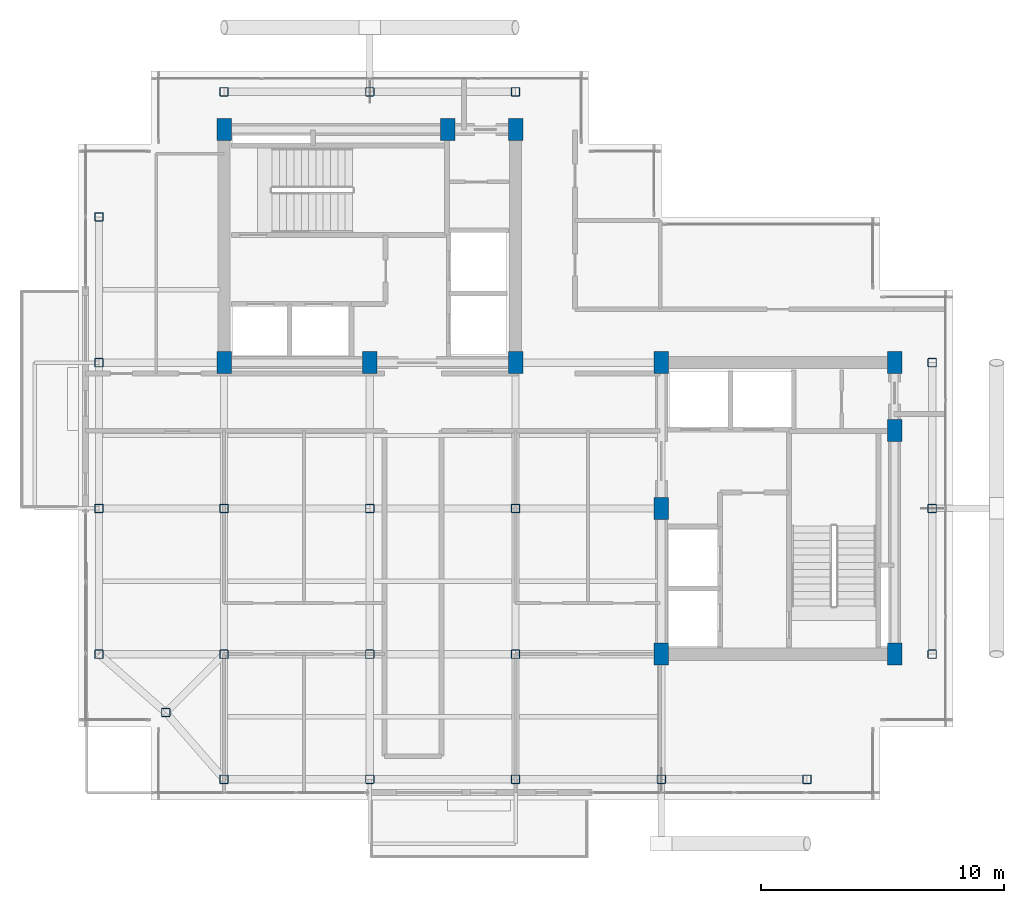
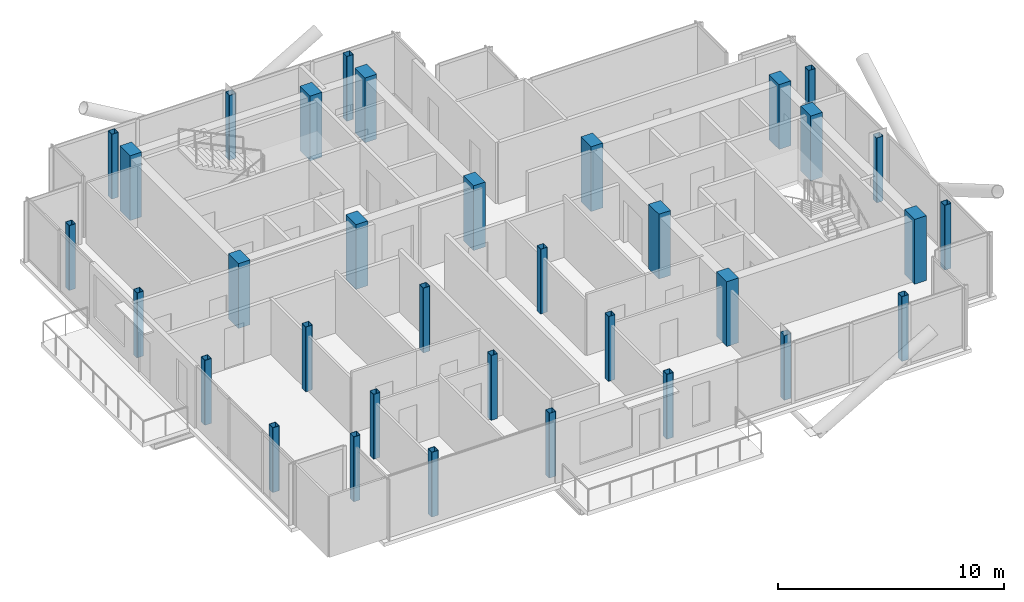
# One storey, part 1 of 18: 34 columns.
"""IFC4 building model written with IfcOpenShell, lengths in metres."""

from ifc_helpers import new_model, si_unit, direction, frame, origin, origin_2d, place, context, subcontext, project, spatial, rectangle, hollow_rectangle, extrude, material, material_profile, profile_set, type_object, element, save


model = new_model("IFC4")

# Units and contexts
model_context = context("Model", 3, precision=1e-05, world=origin(), true_north=direction((0.0, 1.0)))
body_context = subcontext(model_context, "Body", "Model", "MODEL_VIEW")
ifc_project = project(units=[si_unit("LENGTHUNIT", "METRE"), si_unit("AREAUNIT", "SQUARE_METRE"), si_unit("VOLUMEUNIT", "CUBIC_METRE"), si_unit("PLANEANGLEUNIT", "RADIAN"), si_unit("MASSUNIT", "GRAM", prefix="KILO"), si_unit("THERMODYNAMICTEMPERATUREUNIT", "KELVIN"), si_unit("POWERUNIT", "WATT")], contexts=[model_context])

# Site, building, storey
site_placement = place(None, origin())
site = spatial("IfcSite", under=ifc_project, at=site_placement, CompositionType="ELEMENT")
building_placement = place(site_placement, origin())
building = spatial("IfcBuilding", under=site, at=building_placement, Name="Svarakhadi Broadcast Tower", CompositionType="ELEMENT")
storey_placement = place(building_placement, frame((0.0, 0.0, 253.699951171875)))
storey = spatial("IfcBuildingStorey", under=building, at=storey_placement, Name="L63", CompositionType="ELEMENT", Elevation=253.699951171875)

# Columns
ifc_material_1 = material(Name="Concrete C50/60 (IS 456 M60)", Category="concrete")
ifc_material_profile_1 = material_profile(ifc_material_1, rectangle(XDim=0.60009765625, YDim=0.89990234375, at=origin_2d()), Name="RC 600x900")
ifc_profile_set_1 = profile_set([ifc_material_profile_1], Name="Concrete C50/60 (IS 456 M60)")
column_type_1 = type_object("IfcColumnType", Name="Col_RC600", PredefinedType="COLUMN", material=ifc_profile_set_1)
for number, where, z_axis, x_axis, name in (
    (1, (6.0, 18.0, 0.0), (0.0, 0.0, 1.0), (1.0, 0.0, 0.0), "L63 Column CW1"),
    (2, (12.0, 18.0, 0.0), (0.0, 0.0, 1.0), (1.0, 0.0, 0.0), "L63 Column CW2"),
    (3, (18.0, 18.0, 0.0), (0.0, 0.0, 1.0), (1.0, 0.0, 0.0), "L63 Column CW3"),
    (4, (6.0, 27.60009765625, 0.0), (0.0, 0.0, 1.0), (1.0, 0.0, 0.0), "L63 Column CW4"),
    (5, (15.199951171875, 27.60009765625, 0.0), (0.0, 0.0, 1.0), (1.0, 0.0, 0.0), "L63 Column CW5"),
    (6, (18.0, 27.60009765625, 0.0), (0.0, 0.0, 1.0), (1.0, 0.0, 0.0), "L63 Column CW6"),
    (7, (24.0, 6.0, 0.0), (0.0, 0.0, 1.0), (1.0, 0.0, 0.0), "L63 Column CE1"),
    (8, (24.0, 12.0, 0.0), (0.0, 0.0, 1.0), (1.0, 0.0, 0.0), "L63 Column CE2"),
    (9, (24.0, 18.0, 0.0), (0.0, 0.0, 1.0), (1.0, 0.0, 0.0), "L63 Column CE3"),
    (10, (33.60009765625, 6.0, 0.0), (0.0, 0.0, 1.0), (1.0, 0.0, 0.0), "L63 Column CE4"),
    (11, (33.60009765625, 15.199951171875, 0.0), (0.0, 0.0, 1.0), (1.0, 0.0, 0.0), "L63 Column CE5"),
    (12, (33.60009765625, 18.0, 0.0), (0.0, 0.0, 1.0), (1.0, 0.0, 0.0), "L63 Column CE6"),
):
    element("IfcColumn", number, at=place(storey_placement, frame(where, z_axis=z_axis, x_axis=x_axis)), inside=storey, type_object=column_type_1, Name=name, PredefinedType="COLUMN", context=body_context, shape_type="SweptSolid", body=[
        extrude(rectangle(XDim=0.60009765625, YDim=0.89990234375, at=origin_2d()), origin(), (0.0, 0.0, 1.0), 3.5),
    ])
ifc_material_2 = material(Name="Steel S460ML (IS 2062 E450BR)", Category="steel")
ifc_material_profile_2 = material_profile(ifc_material_2, hollow_rectangle(XDim=0.35009765625, YDim=0.35009765625, WallThickness=0.01611328125, InnerFilletRadius=0.01611328125, OuterFilletRadius=0.031982421875, at=origin_2d()), Name="SHS 350x350x16")
ifc_profile_set_2 = profile_set([ifc_material_profile_2], Name="Steel S460ML (IS 2062 E450BR)")
column_type_2 = type_object("IfcColumnType", Name="Col_SHS350", PredefinedType="COLUMN", material=ifc_profile_set_2)
for number, where, z_axis, x_axis, name in (
    (13, (3.60009765625, 3.60009765625, 0.0), (0.0, 0.0, 1.0), (1.0, 0.0, 0.0), "L63 Column G01"),
    (14, (0.85009765625, 6.0, 0.0), (0.0, 0.0, 1.0), (1.0, 0.0, 0.0), "L63 Column G03"),
    (15, (0.85009765625, 12.0, 0.0), (0.0, 0.0, 1.0), (1.0, 0.0, 0.0), "L63 Column G04"),
    (16, (0.85009765625, 18.0, 0.0), (0.0, 0.0, 1.0), (1.0, 0.0, 0.0), "L63 Column G05"),
    (17, (0.85009765625, 24.0, 0.0), (0.0, 0.0, 1.0), (1.0, 0.0, 0.0), "L63 Column G06"),
    (18, (6.0, 0.85009765625, 0.0), (0.0, 0.0, 1.0), (1.0, 0.0, 0.0), "L63 Column G11"),
    (19, (6.0, 6.0, 0.0), (0.0, 0.0, 1.0), (1.0, 0.0, 0.0), "L63 Column G12"),
    (20, (6.0, 12.0, 0.0), (0.0, 0.0, 1.0), (1.0, 0.0, 0.0), "L63 Column G13"),
    (21, (6.0, 29.14990234375, 0.0), (0.0, 0.0, 1.0), (1.0, 0.0, 0.0), "L63 Column G14"),
    (22, (12.0, 0.85009765625, 0.0), (0.0, 0.0, 1.0), (1.0, 0.0, 0.0), "L63 Column G18"),
    (23, (12.0, 6.0, 0.0), (0.0, 0.0, 1.0), (1.0, 0.0, 0.0), "L63 Column G19"),
    (24, (12.0, 12.0, 0.0), (0.0, 0.0, 1.0), (1.0, 0.0, 0.0), "L63 Column G20"),
    (25, (12.0, 29.14990234375, 0.0), (0.0, 0.0, 1.0), (1.0, 0.0, 0.0), "L63 Column G21"),
    (26, (18.0, 0.85009765625, 0.0), (0.0, 0.0, 1.0), (1.0, 0.0, 0.0), "L63 Column G25"),
    (27, (18.0, 6.0, 0.0), (0.0, 0.0, 1.0), (1.0, 0.0, 0.0), "L63 Column G26"),
    (28, (18.0, 12.0, 0.0), (0.0, 0.0, 1.0), (1.0, 0.0, 0.0), "L63 Column G27"),
    (29, (18.0, 29.14990234375, 0.0), (0.0, 0.0, 1.0), (1.0, 0.0, 0.0), "L63 Column G28"),
    (30, (24.0, 0.85009765625, 0.0), (0.0, 0.0, 1.0), (1.0, 0.0, 0.0), "L63 Column G32"),
    (31, (30.0, 0.85009765625, 0.0), (0.0, 0.0, 1.0), (1.0, 0.0, 0.0), "L63 Column G36"),
    (32, (35.14990234375, 6.0, 0.0), (0.0, 0.0, 1.0), (1.0, 0.0, 0.0), "L63 Column G39"),
    (33, (35.14990234375, 12.0, 0.0), (0.0, 0.0, 1.0), (1.0, 0.0, 0.0), "L63 Column G40"),
    (34, (35.14990234375, 18.0, 0.0), (0.0, 0.0, 1.0), (1.0, 0.0, 0.0), "L63 Column G41"),
):
    element("IfcColumn", number, at=place(storey_placement, frame(where, z_axis=z_axis, x_axis=x_axis)), inside=storey, type_object=column_type_2, Name=name, PredefinedType="COLUMN", context=body_context, shape_type="SweptSolid", body=[
        extrude(hollow_rectangle(XDim=0.35009765625, YDim=0.35009765625, WallThickness=0.01611328125, InnerFilletRadius=0.01611328125, OuterFilletRadius=0.031982421875, at=origin_2d()), origin(), (0.0, 0.0, 1.0), 3.5),
    ])

save(model, "model.ifc")
